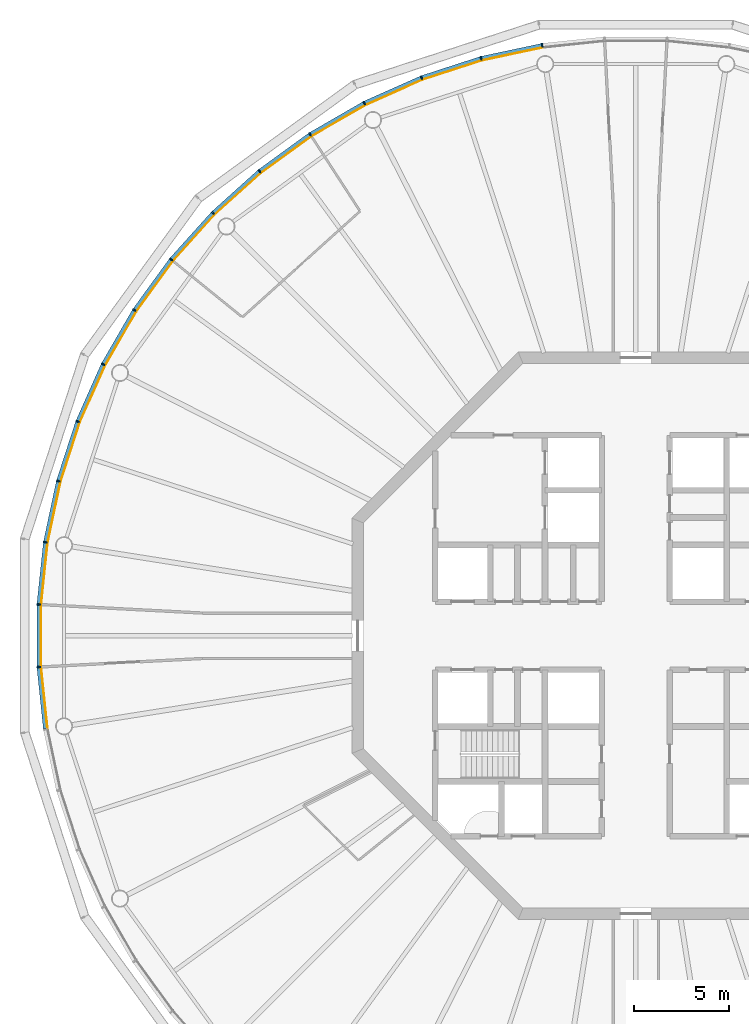
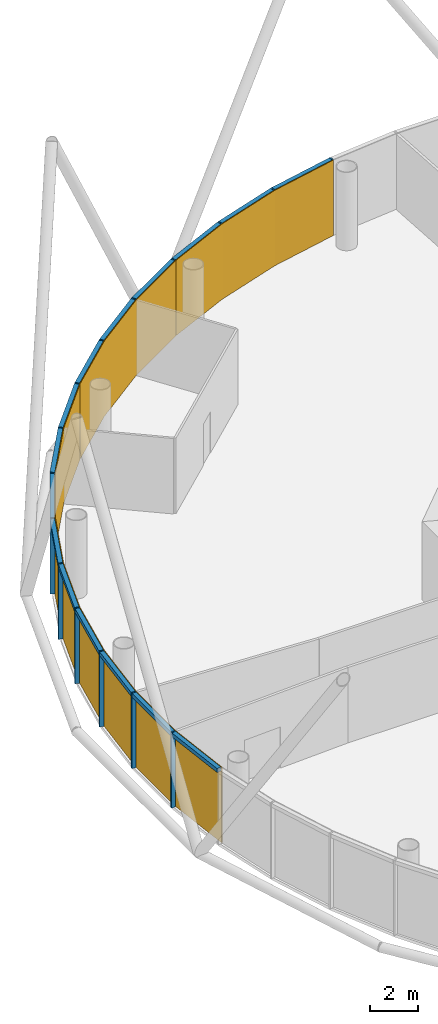
# One storey, part 10 of 13: 30 members, 5 curtain walls.
"""IFC4 building model written with IfcOpenShell, lengths in metres."""

from ifc_helpers import new_model, si_unit, direction, frame, origin, origin_2d, place, context, subcontext, project, spatial, polyline, rectangle, outline, extrude, material, layer, layer_set, material_profile, profile_set, type_object, element, aggregate, save


model = new_model("IFC4")

# Units and contexts
model_context = context("Model", 3, precision=1e-05, world=origin(), true_north=direction((0.0, 1.0)))
body_context = subcontext(model_context, "Body", "Model", "MODEL_VIEW")
ifc_project = project(units=[si_unit("LENGTHUNIT", "METRE"), si_unit("AREAUNIT", "SQUARE_METRE"), si_unit("VOLUMEUNIT", "CUBIC_METRE"), si_unit("PLANEANGLEUNIT", "RADIAN"), si_unit("MASSUNIT", "GRAM", prefix="KILO")], contexts=[model_context])

# Member
ifc_material_1 = material(Name="Anodised aluminium", Category="aluminium")
ifc_material_profile_1 = material_profile(ifc_material_1, rectangle(XDim=0.070068359375, YDim=0.205078125, at=origin_2d()), Name="Mullion 70 x 205 mm anodised aluminium")
ifc_profile_set_1 = profile_set([ifc_material_profile_1], Name="Anodised aluminium")
member_type_1 = type_object("IfcMemberType", Name="Mullion 70 x 205 mm anodised aluminium", PredefinedType="MULLION", material=ifc_profile_set_1)
site_placement = place(None, origin())
building_placement = place(site_placement, origin())
storey_placement = place(building_placement, frame((0.0, 0.0, 356.0)))
member_1_placement = place(storey_placement, frame((85.056396484375, 111.21337890625, 0.0), z_axis=(0.0, 0.0, 1.0), x_axis=(-0.987688340595, -0.15643446504, 0.0)))
member_1 = element("IfcMember", 1, at=member_1_placement, type_object=member_type_1, Name="MULLION L82-15", PredefinedType="MULLION", context=body_context, shape_type="SweptSolid", body=[
    extrude(rectangle(XDim=0.070068359375, YDim=0.205078125, at=origin_2d()), origin(), (0.0, 0.0, 1.0), 3.85009765625),
])

member_2_placement = place(storey_placement, frame((81.820556640625, 110.525634765625, 0.0), z_axis=(0.0, 0.0, 1.0), x_axis=(-0.965925826289, -0.258819045103, 0.0)))
member_2 = element("IfcMember", 2, at=member_2_placement, type_object=member_type_1, Name="MULLION L82-16", PredefinedType="MULLION", context=body_context, shape_type="SweptSolid", body=[
    extrude(rectangle(XDim=0.070068359375, YDim=0.205078125, at=origin_2d()), origin(), (0.0, 0.0, 1.0), 3.85009765625),
])

member_3_placement = place(storey_placement, frame((78.674560546875, 109.50341796875, 0.0), z_axis=(0.0, 0.0, 1.0), x_axis=(-0.933580426497, -0.358367949545, 0.0)))
member_3 = element("IfcMember", 3, at=member_3_placement, type_object=member_type_1, Name="MULLION L82-17", PredefinedType="MULLION", context=body_context, shape_type="SweptSolid", body=[
    extrude(rectangle(XDim=0.070068359375, YDim=0.205078125, at=origin_2d()), origin(), (0.0, 0.0, 1.0), 3.85009765625),
])

member_4_placement = place(storey_placement, frame((75.65283203125, 108.157958984375, 0.0), z_axis=(0.0, 0.0, 1.0), x_axis=(-0.891006524188, -0.45399049974, 0.0)))
member_4 = element("IfcMember", 4, at=member_4_placement, type_object=member_type_1, Name="MULLION L82-18", PredefinedType="MULLION", context=body_context, shape_type="SweptSolid", body=[
    extrude(rectangle(XDim=0.070068359375, YDim=0.205078125, at=origin_2d()), origin(), (0.0, 0.0, 1.0), 3.85009765625),
])

member_5_placement = place(storey_placement, frame((72.7880859375, 106.504150390625, 0.0), z_axis=(0.0, 0.0, 1.0), x_axis=(-0.838670567945, -0.544639035015, 0.0)))
member_5 = element("IfcMember", 5, at=member_5_placement, type_object=member_type_1, Name="MULLION L82-19", PredefinedType="MULLION", context=body_context, shape_type="SweptSolid", body=[
    extrude(rectangle(XDim=0.070068359375, YDim=0.205078125, at=origin_2d()), origin(), (0.0, 0.0, 1.0), 3.85009765625),
])

member_6_placement = place(storey_placement, frame((70.11181640625, 104.559814453125, 0.0), z_axis=(0.0, 0.0, 1.0), x_axis=(-0.777145961457, -0.62932039105, 0.0)))
member_6 = element("IfcMember", 6, at=member_6_placement, type_object=member_type_1, Name="MULLION L82-20", PredefinedType="MULLION", context=body_context, shape_type="SweptSolid", body=[
    extrude(rectangle(XDim=0.070068359375, YDim=0.205078125, at=origin_2d()), origin(), (0.0, 0.0, 1.0), 3.85009765625),
])

member_7_placement = place(storey_placement, frame((67.653564453125, 102.346435546875, 0.0), z_axis=(0.0, 0.0, 1.0), x_axis=(-0.707106781187, -0.707106781187, 0.0)))
member_7 = element("IfcMember", 7, at=member_7_placement, type_object=member_type_1, Name="MULLION L82-21", PredefinedType="MULLION", context=body_context, shape_type="SweptSolid", body=[
    extrude(rectangle(XDim=0.070068359375, YDim=0.205078125, at=origin_2d()), origin(), (0.0, 0.0, 1.0), 3.85009765625),
])

member_8_placement = place(storey_placement, frame((65.440185546875, 99.88818359375, 0.0), z_axis=(0.0, 0.0, 1.0), x_axis=(-0.62932039105, -0.777145961457, 0.0)))
member_8 = element("IfcMember", 8, at=member_8_placement, type_object=member_type_1, Name="MULLION L82-22", PredefinedType="MULLION", context=body_context, shape_type="SweptSolid", body=[
    extrude(rectangle(XDim=0.070068359375, YDim=0.205078125, at=origin_2d()), origin(), (0.0, 0.0, 1.0), 3.85009765625),
])

member_9_placement = place(storey_placement, frame((63.495849609375, 97.2119140625, 0.0), z_axis=(0.0, 0.0, 1.0), x_axis=(-0.544639035015, -0.838670567945, 0.0)))
member_9 = element("IfcMember", 9, at=member_9_placement, type_object=member_type_1, Name="MULLION L82-23", PredefinedType="MULLION", context=body_context, shape_type="SweptSolid", body=[
    extrude(rectangle(XDim=0.070068359375, YDim=0.205078125, at=origin_2d()), origin(), (0.0, 0.0, 1.0), 3.85009765625),
])

member_10_placement = place(storey_placement, frame((61.842041015625, 94.34716796875, 0.0), z_axis=(0.0, 0.0, 1.0), x_axis=(-0.45399049974, -0.891006524188, 0.0)))
member_10 = element("IfcMember", 10, at=member_10_placement, type_object=member_type_1, Name="MULLION L82-24", PredefinedType="MULLION", context=body_context, shape_type="SweptSolid", body=[
    extrude(rectangle(XDim=0.070068359375, YDim=0.205078125, at=origin_2d()), origin(), (0.0, 0.0, 1.0), 3.85009765625),
])

member_11_placement = place(storey_placement, frame((60.49658203125, 91.325439453125, 0.0), z_axis=(0.0, 0.0, 1.0), x_axis=(-0.358367949545, -0.933580426497, 0.0)))
member_11 = element("IfcMember", 11, at=member_11_placement, type_object=member_type_1, Name="MULLION L82-25", PredefinedType="MULLION", context=body_context, shape_type="SweptSolid", body=[
    extrude(rectangle(XDim=0.070068359375, YDim=0.205078125, at=origin_2d()), origin(), (0.0, 0.0, 1.0), 3.85009765625),
])

member_12_placement = place(storey_placement, frame((59.474365234375, 88.179443359375, 0.0), z_axis=(0.0, 0.0, 1.0), x_axis=(-0.258819045103, -0.965925826289, 0.0)))
member_12 = element("IfcMember", 12, at=member_12_placement, type_object=member_type_1, Name="MULLION L82-26", PredefinedType="MULLION", context=body_context, shape_type="SweptSolid", body=[
    extrude(rectangle(XDim=0.070068359375, YDim=0.205078125, at=origin_2d()), origin(), (0.0, 0.0, 1.0), 3.85009765625),
])

member_13_placement = place(storey_placement, frame((58.78662109375, 84.943603515625, 0.0), z_axis=(0.0, 0.0, 1.0), x_axis=(-0.15643446504, -0.987688340595, 0.0)))
member_13 = element("IfcMember", 13, at=member_13_placement, type_object=member_type_1, Name="MULLION L82-27", PredefinedType="MULLION", context=body_context, shape_type="SweptSolid", body=[
    extrude(rectangle(XDim=0.070068359375, YDim=0.205078125, at=origin_2d()), origin(), (0.0, 0.0, 1.0), 3.85009765625),
])

member_14_placement = place(storey_placement, frame((58.44091796875, 81.654052734375, 0.0), z_axis=(0.0, 0.0, 1.0), x_axis=(-0.052335956243, -0.998629534755, 0.0)))
member_14 = element("IfcMember", 14, at=member_14_placement, type_object=member_type_1, Name="MULLION L82-28", PredefinedType="MULLION", context=body_context, shape_type="SweptSolid", body=[
    extrude(rectangle(XDim=0.070068359375, YDim=0.205078125, at=origin_2d()), origin(), (0.0, 0.0, 1.0), 3.85009765625),
])

member_15_placement = place(storey_placement, frame((58.44091796875, 78.345947265625, 0.0), z_axis=(0.0, 0.0, 1.0), x_axis=(0.052335956243, -0.998629534755, 0.0)))
member_15 = element("IfcMember", 15, at=member_15_placement, type_object=member_type_1, Name="MULLION L82-29", PredefinedType="MULLION", context=body_context, shape_type="SweptSolid", body=[
    extrude(rectangle(XDim=0.070068359375, YDim=0.205078125, at=origin_2d()), origin(), (0.0, 0.0, 1.0), 3.85009765625),
])

ifc_material_2 = material(Name="Anodised aluminium", Category="aluminium")
ifc_material_profile_2 = material_profile(ifc_material_2, rectangle(XDim=0.205078125, YDim=0.195068359375, at=origin_2d()), Name="Transom 195 x 205 mm anodised aluminium")
ifc_profile_set_2 = profile_set([ifc_material_profile_2], Name="Anodised aluminium")
member_type_2 = type_object("IfcMemberType", Name="Transom 195 x 205 mm anodised aluminium", PredefinedType="USERDEFINED", material=ifc_profile_set_2)
member_16_placement = place(storey_placement, frame((85.016845703125, 111.205078125, 3.75244140625), z_axis=(-0.978153082647, -0.207885898771, 0.0), x_axis=(0.207885898771, -0.978153082647, 0.0)))
member_16 = element("IfcMember", 16, at=member_16_placement, type_object=member_type_2, Name="TRANSOM L82-15", ObjectType="TRANSOM", PredefinedType="USERDEFINED", context=body_context, shape_type="SweptSolid", body=[
    extrude(rectangle(XDim=0.205078125, YDim=0.195068359375, at=origin_2d()), origin(), (0.0, 0.0, 1.0), 3.227294921875),
])

member_17_placement = place(storey_placement, frame((81.7822265625, 110.513427734375, 3.75244140625), z_axis=(-0.951046855117, -0.309046726844, 0.0), x_axis=(0.309046726844, -0.951046855117, 0.0)))
member_17 = element("IfcMember", 17, at=member_17_placement, type_object=member_type_2, Name="TRANSOM L82-16", ObjectType="TRANSOM", PredefinedType="USERDEFINED", context=body_context, shape_type="SweptSolid", body=[
    extrude(rectangle(XDim=0.205078125, YDim=0.195068359375, at=origin_2d()), origin(), (0.0, 0.0, 1.0), 3.22705078125),
])

member_18_placement = place(storey_placement, frame((78.6376953125, 109.4873046875, 3.75244140625), z_axis=(-0.913521178731, -0.406791170024, 0.0), x_axis=(0.406791170024, -0.913521178731, 0.0)))
member_18 = element("IfcMember", 18, at=member_18_placement, type_object=member_type_2, Name="TRANSOM L82-17", ObjectType="TRANSOM", PredefinedType="USERDEFINED", context=body_context, shape_type="SweptSolid", body=[
    extrude(rectangle(XDim=0.205078125, YDim=0.195068359375, at=origin_2d()), origin(), (0.0, 0.0, 1.0), 3.22705078125),
])

member_19_placement = place(storey_placement, frame((75.61767578125, 108.137939453125, 3.75244140625), z_axis=(-0.866023062494, -0.500004055213, 0.0), x_axis=(0.500004055213, -0.866023062494, 0.0)))
member_19 = element("IfcMember", 19, at=member_19_placement, type_object=member_type_2, Name="TRANSOM L82-18", ObjectType="TRANSOM", PredefinedType="USERDEFINED", context=body_context, shape_type="SweptSolid", body=[
    extrude(rectangle(XDim=0.205078125, YDim=0.195068359375, at=origin_2d()), origin(), (0.0, 0.0, 1.0), 3.22705078125),
])

member_20_placement = place(storey_placement, frame((72.75537109375, 106.48046875, 3.75244140625), z_axis=(-0.809004252048, -0.587802790201, 0.0), x_axis=(0.587802790201, -0.809004252048, 0.0)))
member_20 = element("IfcMember", 20, at=member_20_placement, type_object=member_type_2, Name="TRANSOM L82-19", ObjectType="TRANSOM", PredefinedType="USERDEFINED", context=body_context, shape_type="SweptSolid", body=[
    extrude(rectangle(XDim=0.205078125, YDim=0.195068359375, at=origin_2d()), origin(), (0.0, 0.0, 1.0), 3.227294921875),
])

member_21_placement = place(storey_placement, frame((70.081787109375, 104.532958984375, 3.75244140625), z_axis=(-0.743132370743, -0.669144438484, 0.0), x_axis=(0.669144438484, -0.743132370743, 0.0)))
member_21 = element("IfcMember", 21, at=member_21_placement, type_object=member_type_2, Name="TRANSOM L82-20", ObjectType="TRANSOM", PredefinedType="USERDEFINED", context=body_context, shape_type="SweptSolid", body=[
    extrude(rectangle(XDim=0.205078125, YDim=0.195068359375, at=origin_2d()), origin(), (0.0, 0.0, 1.0), 3.22705078125),
])

member_22_placement = place(storey_placement, frame((67.62646484375, 102.31640625, 3.75244140625), z_axis=(-0.669144438484, -0.743132370743, 0.0), x_axis=(0.743132370743, -0.669144438484, 0.0)))
member_22 = element("IfcMember", 22, at=member_22_placement, type_object=member_type_2, Name="TRANSOM L82-21", ObjectType="TRANSOM", PredefinedType="USERDEFINED", context=body_context, shape_type="SweptSolid", body=[
    extrude(rectangle(XDim=0.205078125, YDim=0.195068359375, at=origin_2d()), origin(), (0.0, 0.0, 1.0), 3.22705078125),
])

member_23_placement = place(storey_placement, frame((65.41650390625, 99.85546875, 3.75244140625), z_axis=(-0.587802790201, -0.809004252048, 0.0), x_axis=(0.809004252048, -0.587802790201, 0.0)))
member_23 = element("IfcMember", 23, at=member_23_placement, type_object=member_type_2, Name="TRANSOM L82-22", ObjectType="TRANSOM", PredefinedType="USERDEFINED", context=body_context, shape_type="SweptSolid", body=[
    extrude(rectangle(XDim=0.205078125, YDim=0.195068359375, at=origin_2d()), origin(), (0.0, 0.0, 1.0), 3.227294921875),
])

member_24_placement = place(storey_placement, frame((63.4755859375, 97.177001953125, 3.75244140625), z_axis=(-0.500004055213, -0.866023062494, 0.0), x_axis=(0.866023062494, -0.500004055213, 0.0)))
member_24 = element("IfcMember", 24, at=member_24_placement, type_object=member_type_2, Name="TRANSOM L82-23", ObjectType="TRANSOM", PredefinedType="USERDEFINED", context=body_context, shape_type="SweptSolid", body=[
    extrude(rectangle(XDim=0.205078125, YDim=0.195068359375, at=origin_2d()), origin(), (0.0, 0.0, 1.0), 3.22705078125),
])

member_25_placement = place(storey_placement, frame((61.825439453125, 94.310302734375, 3.75244140625), z_axis=(-0.406791170024, -0.913521178731, 0.0), x_axis=(0.913521178731, -0.406791170024, 0.0)))
member_25 = element("IfcMember", 25, at=member_25_placement, type_object=member_type_2, Name="TRANSOM L82-24", ObjectType="TRANSOM", PredefinedType="USERDEFINED", context=body_context, shape_type="SweptSolid", body=[
    extrude(rectangle(XDim=0.205078125, YDim=0.195068359375, at=origin_2d()), origin(), (0.0, 0.0, 1.0), 3.22705078125),
])

member_26_placement = place(storey_placement, frame((60.48388671875, 91.286865234375, 3.75244140625), z_axis=(-0.309046726844, -0.951046855117, 0.0), x_axis=(0.951046855117, -0.309046726844, 0.0)))
member_26 = element("IfcMember", 26, at=member_26_placement, type_object=member_type_2, Name="TRANSOM L82-25", ObjectType="TRANSOM", PredefinedType="USERDEFINED", context=body_context, shape_type="SweptSolid", body=[
    extrude(rectangle(XDim=0.205078125, YDim=0.195068359375, at=origin_2d()), origin(), (0.0, 0.0, 1.0), 3.22705078125),
])

member_27_placement = place(storey_placement, frame((59.4658203125, 88.139892578125, 3.75244140625), z_axis=(-0.207885898771, -0.978153082647, 0.0), x_axis=(0.978153082647, -0.207885898771, 0.0)))
member_27 = element("IfcMember", 27, at=member_27_placement, type_object=member_type_2, Name="TRANSOM L82-26", ObjectType="TRANSOM", PredefinedType="USERDEFINED", context=body_context, shape_type="SweptSolid", body=[
    extrude(rectangle(XDim=0.205078125, YDim=0.195068359375, at=origin_2d()), origin(), (0.0, 0.0, 1.0), 3.227294921875),
])

member_28_placement = place(storey_placement, frame((58.7822265625, 84.903564453125, 3.75244140625), z_axis=(-0.104550890115, -0.994519537956, 0.0), x_axis=(0.994519537956, -0.104550890115, 0.0)))
member_28 = element("IfcMember", 28, at=member_28_placement, type_object=member_type_2, Name="TRANSOM L82-27", ObjectType="TRANSOM", PredefinedType="USERDEFINED", context=body_context, shape_type="SweptSolid", body=[
    extrude(rectangle(XDim=0.205078125, YDim=0.195068359375, at=origin_2d()), origin(), (0.0, 0.0, 1.0), 3.22705078125),
])

member_29_placement = place(storey_placement, frame((58.440673828125, 81.613525390625, 3.75244140625), z_axis=(0.0, -1.0, 0.0), x_axis=(1.0, 0.0, 0.0)))
member_29 = element("IfcMember", 29, at=member_29_placement, type_object=member_type_2, Name="TRANSOM L82-28", ObjectType="TRANSOM", PredefinedType="USERDEFINED", context=body_context, shape_type="SweptSolid", body=[
    extrude(rectangle(XDim=0.205078125, YDim=0.195068359375, at=origin_2d()), origin(), (0.0, 0.0, 1.0), 3.22705078125),
])

member_30_placement = place(storey_placement, frame((58.44482421875, 78.305908203125, 3.75244140625), z_axis=(0.104550890115, -0.994519537956, 0.0), x_axis=(0.994519537956, 0.104550890115, 0.0)))
member_30 = element("IfcMember", 30, at=member_30_placement, type_object=member_type_2, Name="TRANSOM L82-29", ObjectType="TRANSOM", PredefinedType="USERDEFINED", context=body_context, shape_type="SweptSolid", body=[
    extrude(rectangle(XDim=0.205078125, YDim=0.195068359375, at=origin_2d()), origin(), (0.0, 0.0, 1.0), 3.22705078125),
])

# Site, building, storey
site = spatial("IfcSite", under=ifc_project, at=site_placement, CompositionType="ELEMENT")
building = spatial("IfcBuilding", under=site, at=building_placement, Name="Entoto Ring Tower", CompositionType="ELEMENT")
storey = spatial("IfcBuildingStorey", under=building, at=storey_placement, Name="L82", CompositionType="ELEMENT", Elevation=356.0)

# Curtain wall
ifc_material_3 = material(Name="Clear low-iron glass", Category="glass")
ifc_layer = layer(ifc_material_3, 0.035888671875)
ifc_layer_set = layer_set([ifc_layer], Name="Clear low-iron glass")
curtain_wall_type = type_object("IfcCurtainWallType", Name="Curtain wall system CW6 glazing 36 mm", PredefinedType="NOTDEFINED", material=ifc_layer_set)
curtain_wall_1_placement = place(storey_placement, origin())
curtain_wall_1 = element("IfcCurtainWall", 31, at=curtain_wall_1_placement, inside=storey, type_object=curtain_wall_type, Name="CW6 L82-06", PredefinedType="NOTDEFINED", context=body_context, shape_type="SweptSolid", body=[
    extrude(outline(polyline([(85.072265625, 111.1123046875), (81.84716796875, 110.4267578125), (78.71142578125, 109.40771484375), (75.69921875, 108.066650390625), (75.715576171875, 108.03466796875), (78.724365234375, 109.3740234375), (81.8564453125, 110.391845703125), (85.077880859375, 111.07666015625), (85.072265625, 111.1123046875)])), origin(), (0.0, 0.0, 1.0), 3.85009765625),
])

aggregate(curtain_wall_1, [member_1, member_2, member_3, member_16, member_17, member_18])

curtain_wall_2_placement = place(storey_placement, origin())
curtain_wall_2 = element("IfcCurtainWall", 32, at=curtain_wall_2_placement, inside=storey, type_object=curtain_wall_type, Name="CW6 L82-07", PredefinedType="NOTDEFINED", context=body_context, shape_type="SweptSolid", body=[
    extrude(outline(polyline([(75.69921875, 108.066650390625), (72.84375, 106.418212890625), (70.176513671875, 104.47998046875), (67.72607421875, 102.27392578125), (67.751708984375, 102.248291015625), (70.198974609375, 104.4521484375), (72.863525390625, 106.387939453125), (75.715576171875, 108.03466796875), (75.69921875, 108.066650390625)])), origin(), (0.0, 0.0, 1.0), 3.85009765625),
])

aggregate(curtain_wall_2, [member_4, member_5, member_6, member_19, member_20, member_21])

curtain_wall_3_placement = place(storey_placement, origin())
curtain_wall_3 = element("IfcCurtainWall", 33, at=curtain_wall_3_placement, inside=storey, type_object=curtain_wall_type, Name="CW6 L82-08", PredefinedType="NOTDEFINED", context=body_context, shape_type="SweptSolid", body=[
    extrude(outline(polyline([(67.72607421875, 102.27392578125), (65.52001953125, 99.823486328125), (63.581787109375, 97.15625), (61.933349609375, 94.30078125), (61.96533203125, 94.284423828125), (63.612060546875, 97.136474609375), (65.5478515625, 99.801025390625), (67.751708984375, 102.248291015625), (67.72607421875, 102.27392578125)])), origin(), (0.0, 0.0, 1.0), 3.85009765625),
])

aggregate(curtain_wall_3, [member_7, member_8, member_9, member_22, member_23, member_24])

curtain_wall_4_placement = place(storey_placement, origin())
curtain_wall_4 = element("IfcCurtainWall", 34, at=curtain_wall_4_placement, inside=storey, type_object=curtain_wall_type, Name="CW6 L82-09", PredefinedType="NOTDEFINED", context=body_context, shape_type="SweptSolid", body=[
    extrude(outline(polyline([(61.933349609375, 94.30078125), (60.59228515625, 91.28857421875), (59.5732421875, 88.15283203125), (58.8876953125, 84.927734375), (58.92333984375, 84.922119140625), (59.608154296875, 88.1435546875), (60.6259765625, 91.275634765625), (61.96533203125, 94.284423828125), (61.933349609375, 94.30078125)])), origin(), (0.0, 0.0, 1.0), 3.85009765625),
])

aggregate(curtain_wall_4, [member_10, member_11, member_12, member_25, member_26, member_27])

curtain_wall_5_placement = place(storey_placement, origin())
curtain_wall_5 = element("IfcCurtainWall", 35, at=curtain_wall_5_placement, inside=storey, type_object=curtain_wall_type, Name="CW6 L82-10", PredefinedType="NOTDEFINED", context=body_context, shape_type="SweptSolid", body=[
    extrude(outline(polyline([(58.8876953125, 84.927734375), (58.543212890625, 81.648681640625), (58.543212890625, 78.351318359375), (58.8876953125, 75.072265625), (58.92333984375, 75.077880859375), (58.5791015625, 78.353271484375), (58.5791015625, 81.646728515625), (58.92333984375, 84.922119140625), (58.8876953125, 84.927734375)])), origin(), (0.0, 0.0, 1.0), 3.85009765625),
])

aggregate(curtain_wall_5, [member_13, member_14, member_15, member_28, member_29, member_30])

save(model, "model.ifc")
